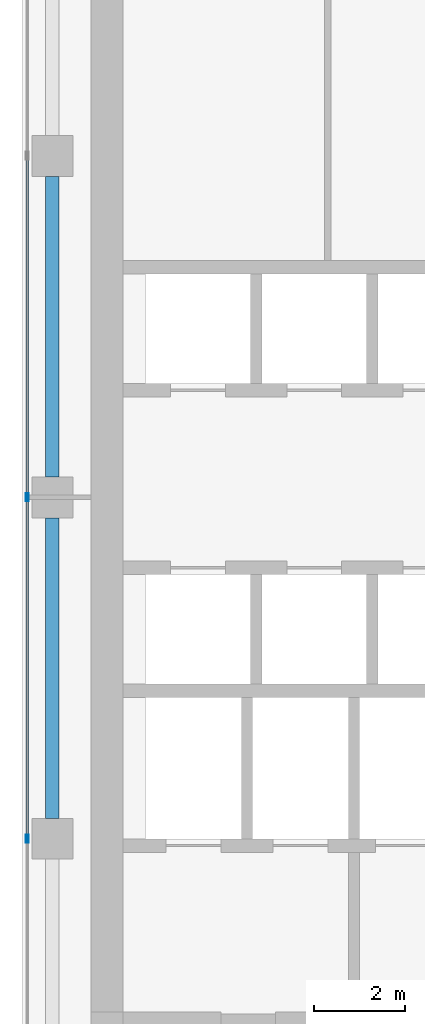
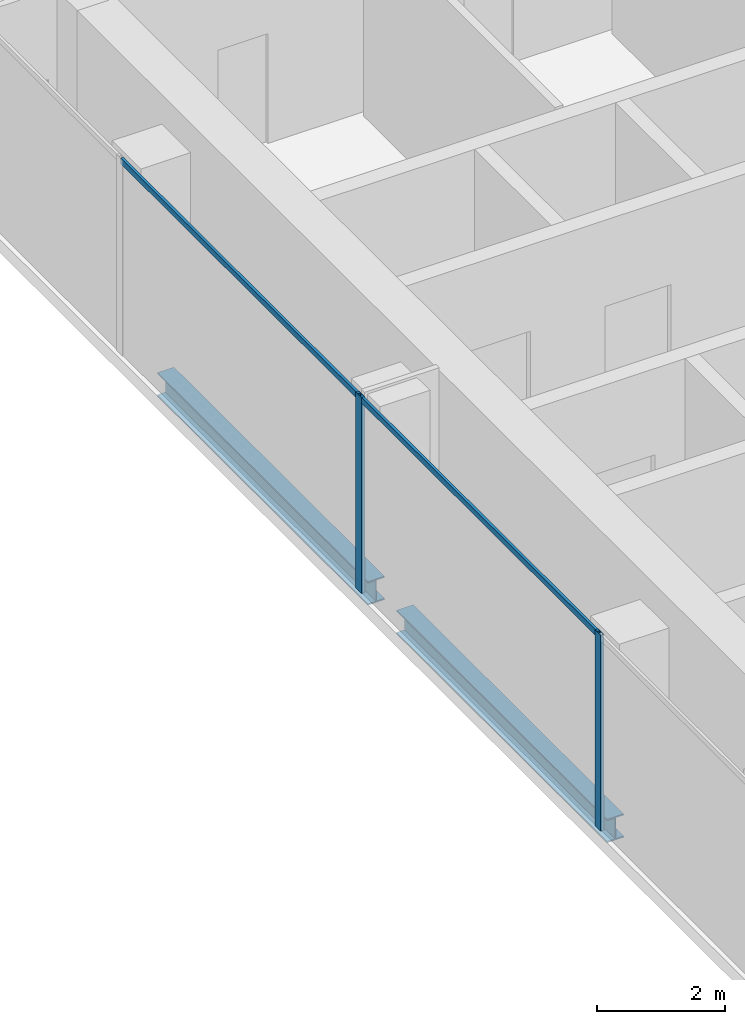
# One storey, part 7 of 36: 4 members, 2 beams, 1 element without a shape of its own.
"""IFC4 building model written with IfcOpenShell, lengths in metres."""

from ifc_helpers import new_model, si_unit, direction, frame, origin, origin_2d, place, context, subcontext, project, spatial, hollow_rectangle, i_section, extrude, source, transform, mapped, material, material_profile, profile_set, type_object, element, aggregate, save


model = new_model("IFC4")

# Units and contexts
model_context = context("Model", 3, precision=1e-05, world=origin(), true_north=direction((0.0, 1.0)))
body_context = subcontext(model_context, "Body", "Model", "MODEL_VIEW")
ifc_project = project(units=[si_unit("LENGTHUNIT", "METRE"), si_unit("AREAUNIT", "SQUARE_METRE"), si_unit("VOLUMEUNIT", "CUBIC_METRE"), si_unit("PLANEANGLEUNIT", "RADIAN"), si_unit("MASSUNIT", "GRAM", prefix="KILO")], contexts=[model_context])

# Site, building, storey
site_placement = place(None, origin())
site = spatial("IfcSite", under=ifc_project, at=site_placement, CompositionType="ELEMENT")
building_placement = place(site_placement, origin())
building = spatial("IfcBuilding", under=site, at=building_placement, Name="Khomas Fold Tower", CompositionType="ELEMENT")
storey_placement = place(building_placement, frame((0.0, 0.0, 238.199951171875)))
storey = spatial("IfcBuildingStorey", under=building, at=storey_placement, Name="L53", CompositionType="ELEMENT", Elevation=238.199951171875)

# Beams
ifc_material_1 = material(Name="Steel S355", Category="steel")
ifc_material_profile_1 = material_profile(ifc_material_1, i_section(OverallWidth=0.300048828125, OverallDepth=0.449951171875, WebThickness=0.013916015625, FlangeThickness=0.02587890625, at=origin_2d()), Name="HE 450 B")
ifc_profile_set_1 = profile_set([ifc_material_profile_1], Name="Steel S355")
beam_type = type_object("IfcBeamType", Name="HE 450 B spandrel SB4", PredefinedType="SPANDREL", material=ifc_profile_set_1)
shared_shape_1 = source(origin(), body_context, "Body", "SweptSolid", [
    extrude(i_section(OverallWidth=0.300048828125, OverallDepth=0.449951171875, WebThickness=0.013916015625, FlangeThickness=0.02587890625, at=origin_2d()), origin(), (0.0, 0.0, 1.0), 6.60009765625),
])
for number, where, z_axis, x_axis, name in (
    (1, (5.14990234375, 27.449951171875, -0.474853515625), (0.0, 1.0, 0.0), (-1.0, 0.0, 0.0), "SB4"),
    (2, (5.14990234375, 19.949951171875, -0.474853515625), (0.0, 1.0, 0.0), (-1.0, 0.0, 0.0), "SB4"),
):
    element("IfcBeam", number, at=place(storey_placement, frame(where, z_axis=z_axis, x_axis=x_axis)), inside=storey, type_object=beam_type, Name=name, PredefinedType="SPANDREL", context=body_context, shape_type="MappedRepresentation", body=[
        mapped(shared_shape_1, transform((0.0, 0.0, 0.0))),
    ])

# Curtain wall, members
ifc_material_2 = material(Name="Aluminium framed double glazing", Category="aluminium")
curtain_wall_type = type_object("IfcCurtainWallType", Name="SK-Unitised clear-glass wall, office floors CW2", PredefinedType="NOTDEFINED", material=ifc_material_2)
curtain_wall_placement = place(storey_placement, origin())
curtain_wall = element("IfcCurtainWall", 3, at=curtain_wall_placement, inside=storey, type_object=curtain_wall_type, Name="CW2 run L53 09-0", PredefinedType="NOTDEFINED")
ifc_material_3 = material(Name="Aluminium", Category="aluminium")
ifc_material_profile_2 = material_profile(ifc_material_3, hollow_rectangle(XDim=0.06005859375, YDim=0.179931640625, WallThickness=0.00390625, at=origin_2d()), Name="SK-Unitised clear-glass wall, office floors mullion CW2-M")
ifc_profile_set_2 = profile_set([ifc_material_profile_2], Name="Aluminium")
member_type_1 = type_object("IfcMemberType", Name="SK-Unitised clear-glass wall, office floors mullion CW2-M", PredefinedType="MULLION", material=ifc_profile_set_2)
shared_shape_2 = source(origin(), body_context, "Body", "SweptSolid", [
    extrude(hollow_rectangle(XDim=0.06005859375, YDim=0.179931640625, WallThickness=0.00390625, at=origin_2d()), origin(), (0.0, 0.0, 1.0), 3.75),
])
member_1_placement = place(storey_placement, frame((4.60009765625, 27.0, 0.0), z_axis=(0.0, 0.0, 1.0), x_axis=(1.0, 0.0, 0.0)))
member_1 = element("IfcMember", 4, at=member_1_placement, type_object=member_type_1, Name="CW2 mullion 4", PredefinedType="MULLION", context=body_context, shape_type="MappedRepresentation", body=[
    mapped(shared_shape_2, transform((0.0, 0.0, 0.0))),
])
member_2_placement = place(storey_placement, frame((4.60009765625, 19.5, 0.0), z_axis=(0.0, 0.0, 1.0), x_axis=(1.0, 0.0, 0.0)))
member_2 = element("IfcMember", 5, at=member_2_placement, type_object=member_type_1, Name="CW2 mullion 5", PredefinedType="MULLION", context=body_context, shape_type="MappedRepresentation", body=[
    mapped(shared_shape_2, transform((0.0, 0.0, 0.0))),
])
ifc_material_4 = material(Name="Aluminium", Category="aluminium")
ifc_material_profile_3 = material_profile(ifc_material_4, hollow_rectangle(XDim=0.050048828125, YDim=0.110107421875, WallThickness=0.00390625, at=origin_2d()), Name="SK-Unitised clear-glass wall, office floors transom CW2-T")
ifc_profile_set_3 = profile_set([ifc_material_profile_3], Name="Aluminium")
member_type_2 = type_object("IfcMemberType", Name="SK-Unitised clear-glass wall, office floors transom CW2-T", PredefinedType="USERDEFINED", material=ifc_profile_set_3)
shared_shape_3 = source(origin(), body_context, "Body", "SweptSolid", [
    extrude(hollow_rectangle(XDim=0.050048828125, YDim=0.110107421875, WallThickness=0.00390625, at=origin_2d()), origin(), (0.0, 0.0, 1.0), 7.43994140625),
])
member_3_placement = place(storey_placement, frame((4.60009765625, 34.469970703125, 3.695068359375), z_axis=(0.0, -1.0, 0.0), x_axis=(1.0, 0.0, 0.0)))
member_3 = element("IfcMember", 6, at=member_3_placement, type_object=member_type_2, Name="CW2 transom 3", ObjectType="TRANSOM", PredefinedType="USERDEFINED", context=body_context, shape_type="MappedRepresentation", body=[
    mapped(shared_shape_3, transform((0.0, 0.0, 0.0))),
])
member_4_placement = place(storey_placement, frame((4.60009765625, 26.969970703125, 3.695068359375), z_axis=(0.0, -1.0, 0.0), x_axis=(1.0, 0.0, 0.0)))
member_4 = element("IfcMember", 7, at=member_4_placement, type_object=member_type_2, Name="CW2 transom 4", ObjectType="TRANSOM", PredefinedType="USERDEFINED", context=body_context, shape_type="MappedRepresentation", body=[
    mapped(shared_shape_3, transform((0.0, 0.0, 0.0))),
])
aggregate(curtain_wall, [member_1, member_2, member_3, member_4])

save(model, "model.ifc")
